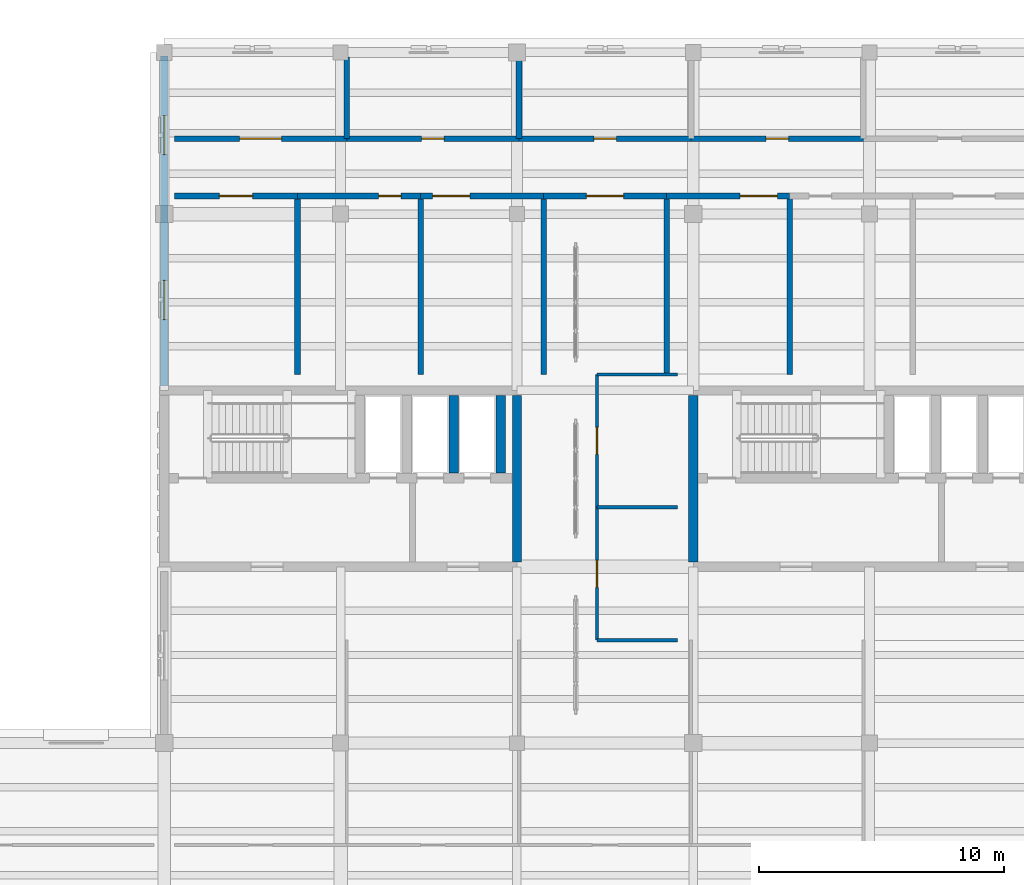
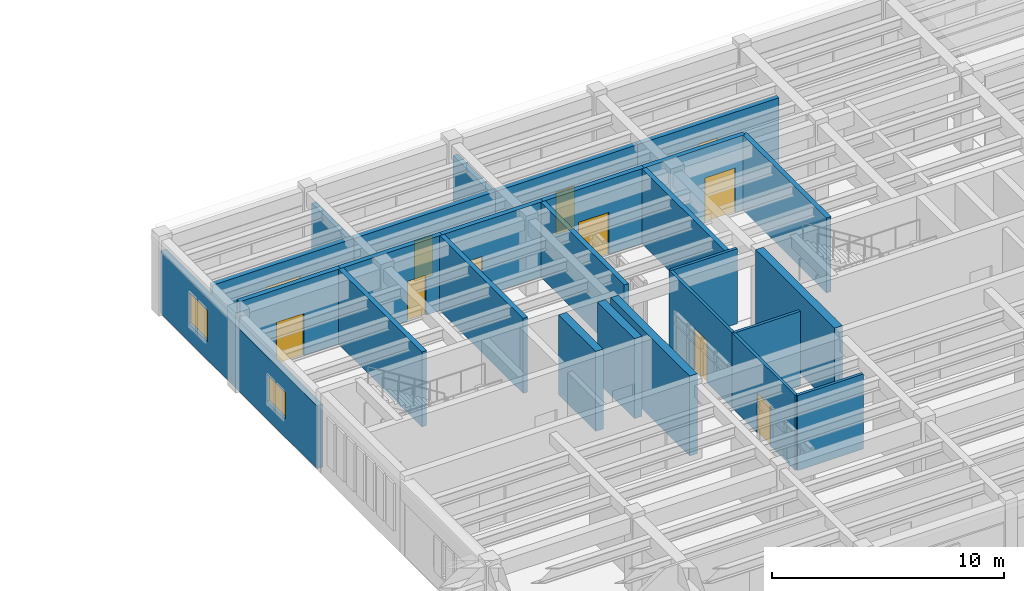
# One storey, part 25 of 40: 26 walls, 11 doors, 2 windows, 13 openings.
"""IFC4 building model written with IfcOpenShell, lengths in metres."""

from ifc_helpers import new_model, si_unit, direction, frame, frame_2d, origin, place, context, subcontext, project, spatial, rectangle, extrude, material, layer, layer_set, type_object, element, fill, save


model = new_model("IFC4")

# Units and contexts
model_context = context("Model", 3, precision=1e-05, world=origin(), true_north=direction((0.0, 1.0)))
body_context = subcontext(model_context, "Body", "Model", "MODEL_VIEW")
ifc_project = project(units=[si_unit("LENGTHUNIT", "METRE"), si_unit("AREAUNIT", "SQUARE_METRE"), si_unit("VOLUMEUNIT", "CUBIC_METRE"), si_unit("PLANEANGLEUNIT", "RADIAN"), si_unit("MASSUNIT", "GRAM", prefix="KILO")], contexts=[model_context])

# Site, building, storey
site_placement = place(None, origin())
site = spatial("IfcSite", under=ifc_project, at=site_placement, CompositionType="ELEMENT")
building_placement = place(site_placement, origin())
building = spatial("IfcBuilding", under=site, at=building_placement, Name="Mithqara Police Headquarters", CompositionType="ELEMENT")
storey_placement = place(building_placement, frame((0.0, 0.0, 13.800048828125)))
storey = spatial("IfcBuildingStorey", under=building, at=storey_placement, Name="L03", CompositionType="ELEMENT", Elevation=13.800048828125)

# Wall, openings, windows
ifc_material_1 = material(Name="Ochre masonry cavity wall, 35 MPa", Category="masonry")
ifc_layer_1 = layer(ifc_material_1, 0.300048828125, Name="Ochre masonry cavity wall, 35 MPa")
ifc_layer_set_1 = layer_set([ifc_layer_1], Name="Ochre masonry cavity wall, 35 MPa")
wall_type_1 = type_object("IfcWallType", Name="EXT WALL OCHRE BRICK300", PredefinedType="SOLIDWALL", material=ifc_layer_set_1)
wall_1_placement = place(storey_placement, frame((108.60009765625, 113.85009765625, 0.0), z_axis=(0.0, 0.0, 1.0), x_axis=(0.0, -1.0, 0.0)))
wall_1 = element("IfcWall", 1, at=wall_1_placement, inside=storey, type_object=wall_type_1, Name="L03 Exterior Wall 14.1", PredefinedType="SOLIDWALL", context=body_context, shape_type="SweptSolid", body=[
    extrude(rectangle(XDim=13.460205078125, YDim=0.300048828125, at=frame_2d((6.72998046875, 0.0))), origin(), (0.0, 0.0, 1.0), 3.2900390625),
])
opening_1_placement = place(wall_1_placement, frame((9.155029296875, 0.0, 0.949951171875)))
opening_1 = element("IfcOpeningElement", 2, at=opening_1_placement, cuts=wall_1, Name="Opening W-26", PredefinedType="OPENING", context=body_context, shape_type="SweptSolid", body=[
    extrude(rectangle(XDim=1.60009765625, YDim=1.39990234375, at=frame_2d((0.800048828125, 0.699951171875))), frame((0.0, 0.16015625, 0.0), z_axis=(0.0, -1.0, 0.0), x_axis=(1.0, 0.0, 0.0)), (0.0, 0.0, 1.0), 0.320068359375),
])
opening_2_placement = place(wall_1_placement, frame((2.425048828125, 0.0, 0.949951171875)))
opening_2 = element("IfcOpeningElement", 3, at=opening_2_placement, cuts=wall_1, Name="Opening W-27", PredefinedType="OPENING", context=body_context, shape_type="SweptSolid", body=[
    extrude(rectangle(XDim=1.60009765625, YDim=1.64990234375, at=frame_2d((0.800048828125, 0.824951171875))), frame((0.0, 0.16015625, 0.0), z_axis=(0.0, -1.0, 0.0), x_axis=(1.0, 0.0, 0.0)), (0.0, 0.0, 1.0), 0.320068359375),
])
ifc_material_2 = material(Name="Spectrally selective double low-e glass", Category="glass")
window_type_1 = type_object("IfcWindowType", Name="WINDOW 1600X1400", PartitioningType="SINGLE_PANEL", PredefinedType="WINDOW", material=ifc_material_2)
window_1_placement = place(opening_1_placement, origin())
window_1 = element("IfcWindow", 4, at=window_1_placement, inside=storey, type_object=window_type_1, Name="L03 Command Block Screened Window 14.1", OverallHeight=1.39990234375, OverallWidth=1.60009765625, PartitioningType="SINGLE_PANEL", PredefinedType="WINDOW", context=body_context, shape_type="SweptSolid", body=[
    extrude(rectangle(XDim=1.60009765625, YDim=1.39990234375, at=frame_2d((0.800048828125, 0.699951171875))), frame((0.0, 0.030029296875, 0.0), z_axis=(0.0, -1.0, 0.0), x_axis=(1.0, 0.0, 0.0)), (0.0, 0.0, 1.0), 0.06005859375),
])
fill(opening_1, window_1)
window_type_2 = type_object("IfcWindowType", Name="WINDOW 1600X1650", PartitioningType="SINGLE_PANEL", PredefinedType="WINDOW", material=ifc_material_2)
window_2_placement = place(opening_2_placement, origin())
window_2 = element("IfcWindow", 5, at=window_2_placement, inside=storey, type_object=window_type_2, Name="L03 Command Block Screened Window 14.2", OverallHeight=1.64990234375, OverallWidth=1.60009765625, PartitioningType="SINGLE_PANEL", PredefinedType="WINDOW", context=body_context, shape_type="SweptSolid", body=[
    extrude(rectangle(XDim=1.60009765625, YDim=1.64990234375, at=frame_2d((0.800048828125, 0.824951171875))), frame((0.0, 0.030029296875, 0.0), z_axis=(0.0, -1.0, 0.0), x_axis=(1.0, 0.0, 0.0)), (0.0, 0.0, 1.0), 0.06005859375),
])
fill(opening_2, window_2)

# Walls
ifc_material_3 = material(Name="Gypsum acoustic stud partition", Category="gypsum")
ifc_layer_2 = layer(ifc_material_3, 0.139892578125, Name="Gypsum acoustic stud partition")
ifc_layer_set_2 = layer_set([ifc_layer_2], Name="Gypsum acoustic stud partition")
wall_type_2 = type_object("IfcWallType", Name="PART WALL 140", PredefinedType="PARTITIONING", material=ifc_layer_set_2)
for number, where, z_axis, x_axis, name in (
    (6, (126.27001953125, 90.0, 0.0), (0.0, 0.0, 1.0), (1.0, 0.0, 0.0), "L03 Partition End Closure E0"),
    (7, (126.27001953125, 100.85009765625, 0.0), (0.0, 0.0, 1.0), (1.0, 0.0, 0.0), "L03 Partition End Closure E1"),
):
    element("IfcWall", number, at=place(storey_placement, frame(where, z_axis=z_axis, x_axis=x_axis)), inside=storey, type_object=wall_type_2, Name=name, PredefinedType="PARTITIONING", context=body_context, shape_type="SweptSolid", body=[
        extrude(rectangle(XDim=3.280029296875, YDim=0.139892578125, at=frame_2d((1.64013671875, 0.0))), origin(), (0.0, 0.0, 1.0), 3.93994140625),
    ])

# Wall, opening, door
wall_2_placement = place(storey_placement, frame((126.27001953125, 90.0, 0.0), z_axis=(0.0, 0.0, 1.0), x_axis=(0.0, 1.0, 0.0)))
wall_2 = element("IfcWall", 8, at=wall_2_placement, inside=storey, type_object=wall_type_2, Name="L03 Corridor Wall Warrants and Records Office", PredefinedType="PARTITIONING", context=body_context, shape_type="SweptSolid", body=[
    extrude(rectangle(XDim=5.425048828125, YDim=0.139892578125, at=frame_2d((2.71240234375, 0.0))), origin(), (0.0, 0.0, 1.0), 3.93994140625),
])
opening_3_placement = place(wall_2_placement, frame((2.16259765625, 0.0, 0.0)))
opening_3 = element("IfcOpeningElement", 9, at=opening_3_placement, cuts=wall_2, Name="Opening D-10", PredefinedType="OPENING", context=body_context, shape_type="SweptSolid", body=[
    extrude(rectangle(XDim=1.10009765625, YDim=2.10009765625, at=frame_2d((0.550048828125, 1.050048828125))), frame((0.0, 0.080078125, 0.0), z_axis=(0.0, -1.0, 0.0), x_axis=(1.0, 0.0, 0.0)), (0.0, 0.0, 1.0), 0.159912109375),
])
ifc_material_4 = material(Name="Acoustic solid-core timber leaf", Category="wood")
door_type_1 = type_object("IfcDoorType", Name="INT DOOR 1100X2100", OperationType="NOTDEFINED", PredefinedType="DOOR", material=ifc_material_4)
door_1_placement = place(opening_3_placement, origin())
door_1 = element("IfcDoor", 10, at=door_1_placement, inside=storey, type_object=door_type_1, Name="Warrants and Records Office Entry Door", OperationType="SINGLE_SWING_LEFT", OverallHeight=2.10009765625, OverallWidth=1.10009765625, PredefinedType="DOOR", context=body_context, shape_type="SweptSolid", body=[
    extrude(rectangle(XDim=1.10009765625, YDim=2.10009765625, at=frame_2d((0.550048828125, 1.050048828125))), frame((0.0, 0.02490234375, 0.0), z_axis=(0.0, -1.0, 0.0), x_axis=(1.0, 0.0, 0.0)), (0.0, 0.0, 1.0), 0.050048828125),
])
fill(opening_3, door_1)

# Wall
wall_3_placement = place(storey_placement, frame((126.27001953125, 95.425048828125, 0.0), z_axis=(0.0, 0.0, 1.0), x_axis=(1.0, 0.0, 0.0)))
element("IfcWall", 11, at=wall_3_placement, inside=storey, type_object=wall_type_2, Name="L03 Room Partition Warrants and Records Office", PredefinedType="PARTITIONING", context=body_context, shape_type="SweptSolid", body=[
    extrude(rectangle(XDim=3.280029296875, YDim=0.139892578125, at=frame_2d((1.64013671875, 0.0))), origin(), (0.0, 0.0, 1.0), 3.93994140625),
])

# Wall, opening, door
wall_4_placement = place(storey_placement, frame((126.27001953125, 95.425048828125, 0.0), z_axis=(0.0, 0.0, 1.0), x_axis=(0.0, 1.0, 0.0)))
wall_4 = element("IfcWall", 12, at=wall_4_placement, inside=storey, type_object=wall_type_2, Name="L03 Corridor Wall Judicial Liaison Suite", PredefinedType="PARTITIONING", context=body_context, shape_type="SweptSolid", body=[
    extrude(rectangle(XDim=5.425048828125, YDim=0.139892578125, at=frame_2d((2.71240234375, 0.0))), origin(), (0.0, 0.0, 1.0), 3.93994140625),
])
opening_4_placement = place(wall_4_placement, frame((2.16259765625, 0.0, 0.0)))
opening_4 = element("IfcOpeningElement", 13, at=opening_4_placement, cuts=wall_4, Name="Opening D-11", PredefinedType="OPENING", context=body_context, shape_type="SweptSolid", body=[
    extrude(rectangle(XDim=1.10009765625, YDim=2.219970703125, at=frame_2d((0.550048828125, 1.10986328125))), frame((0.0, 0.080078125, 0.0), z_axis=(0.0, -1.0, 0.0), x_axis=(1.0, 0.0, 0.0)), (0.0, 0.0, 1.0), 0.159912109375),
])
door_type_2 = type_object("IfcDoorType", Name="INT DOOR 1100X2220", OperationType="NOTDEFINED", PredefinedType="DOOR", material=ifc_material_4)
door_2_placement = place(opening_4_placement, origin())
door_2 = element("IfcDoor", 14, at=door_2_placement, inside=storey, type_object=door_type_2, Name="Judicial Liaison Suite Entry Door", OperationType="SINGLE_SWING_RIGHT", OverallHeight=2.219970703125, OverallWidth=1.10009765625, PredefinedType="DOOR", context=body_context, shape_type="SweptSolid", body=[
    extrude(rectangle(XDim=1.10009765625, YDim=2.219970703125, at=frame_2d((0.550048828125, 1.10986328125))), frame((0.0, 0.02490234375, 0.0), z_axis=(0.0, -1.0, 0.0), x_axis=(1.0, 0.0, 0.0)), (0.0, 0.0, 1.0), 0.050048828125),
])
fill(opening_4, door_2)

ifc_material_5 = material(Name="Concrete C40/50", Category="concrete")
ifc_layer_3 = layer(ifc_material_5, 0.22998046875, Name="Concrete C40/50")
ifc_layer_set_3 = layer_set([ifc_layer_3], Name="Concrete C40/50")
wall_type_3 = type_object("IfcWallType", Name="PART WALL 230", PredefinedType="PARTITIONING", material=ifc_layer_set_3)
wall_5_placement = place(storey_placement, frame((109.02001953125, 108.139892578125, 0.0), z_axis=(0.0, 0.0, 1.0), x_axis=(1.0, 0.0, 0.0)))
wall_5 = element("IfcWall", 15, at=wall_5_placement, inside=storey, type_object=wall_type_3, Name="L03 Corridor Wall Warrants and Records Office", PredefinedType="PARTITIONING", context=body_context, shape_type="SweptSolid", body=[
    extrude(rectangle(XDim=5.02294921875, YDim=0.22998046875, at=frame_2d((2.511474609375, 0.0))), origin(), (0.0, 0.0, 1.0), 3.93994140625),
])
opening_5_placement = place(wall_5_placement, frame((1.83154296875, 0.0, 0.0)))
opening_5 = element("IfcOpeningElement", 16, at=opening_5_placement, cuts=wall_5, Name="Opening D-17", PredefinedType="OPENING", context=body_context, shape_type="SweptSolid", body=[
    extrude(rectangle(XDim=1.360107421875, YDim=2.219970703125, at=frame_2d((0.68017578125, 1.10986328125))), frame((0.0, 0.125, 0.0), z_axis=(0.0, -1.0, 0.0), x_axis=(1.0, 0.0, 0.0)), (0.0, 0.0, 1.0), 0.25),
])
ifc_material_6 = material(Name="Bronze anodised aluminium 6063-T6", Category="aluminium")
door_type_3 = type_object("IfcDoorType", Name="INT DOOR 1360X2220", OperationType="NOTDEFINED", PredefinedType="DOOR", material=ifc_material_6)
door_3_placement = place(opening_5_placement, frame((1.360107421875, 0.0, 0.0), z_axis=(0.0, 0.0, 1.0), x_axis=(-1.0, 0.0, 0.0)))
door_3 = element("IfcDoor", 17, at=door_3_placement, inside=storey, type_object=door_type_3, Name="Warrants and Records Office Entry Door", OperationType="SINGLE_SWING_RIGHT", OverallHeight=2.219970703125, OverallWidth=1.360107421875, PredefinedType="DOOR", context=body_context, shape_type="SweptSolid", body=[
    extrude(rectangle(XDim=1.360107421875, YDim=2.219970703125, at=frame_2d((0.68017578125, 1.10986328125))), frame((0.0, 0.02490234375, 0.0), z_axis=(0.0, -1.0, 0.0), x_axis=(1.0, 0.0, 0.0)), (0.0, 0.0, 1.0), 0.050048828125),
])
fill(opening_5, door_3)

# Wall
wall_6_placement = place(storey_placement, frame((114.04296875, 100.85009765625, 0.0), z_axis=(0.0, 0.0, 1.0), x_axis=(0.0, 1.0, 0.0)))
element("IfcWall", 18, at=wall_6_placement, inside=storey, type_object=wall_type_3, Name="L03 Room Partition Warrants and Records Office", PredefinedType="PARTITIONING", context=body_context, shape_type="SweptSolid", body=[
    extrude(rectangle(XDim=7.289794921875, YDim=0.22998046875, at=frame_2d((3.64501953125, 0.0))), origin(), (0.0, 0.0, 1.0), 3.93994140625),
])

# Wall, opening, door
wall_7_placement = place(storey_placement, frame((114.04296875, 108.139892578125, 0.0), z_axis=(0.0, 0.0, 1.0), x_axis=(1.0, 0.0, 0.0)))
wall_7 = element("IfcWall", 19, at=wall_7_placement, inside=storey, type_object=wall_type_3, Name="L03 Corridor Wall Judicial Liaison Suite", PredefinedType="PARTITIONING", context=body_context, shape_type="SweptSolid", body=[
    extrude(rectangle(XDim=5.02294921875, YDim=0.22998046875, at=frame_2d((2.511474609375, 0.0))), origin(), (0.0, 0.0, 1.0), 3.93994140625),
])
opening_6_placement = place(wall_7_placement, frame((3.30712890625, 0.0, 0.0)))
opening_6 = element("IfcOpeningElement", 20, at=opening_6_placement, cuts=wall_7, Name="Opening D-01", PredefinedType="OPENING", context=body_context, shape_type="SweptSolid", body=[
    extrude(rectangle(XDim=0.919921875, YDim=2.10009765625, at=frame_2d((0.4599609375, 1.050048828125))), frame((0.0, 0.125, 0.0), z_axis=(0.0, -1.0, 0.0), x_axis=(1.0, 0.0, 0.0)), (0.0, 0.0, 1.0), 0.25),
])
door_type_4 = type_object("IfcDoorType", Name="INT DOOR 920X2100", OperationType="NOTDEFINED", PredefinedType="DOOR", material=ifc_material_4)
door_4_placement = place(opening_6_placement, frame((0.919921875, 0.0, 0.0), z_axis=(0.0, 0.0, 1.0), x_axis=(-1.0, 0.0, 0.0)))
door_4 = element("IfcDoor", 21, at=door_4_placement, inside=storey, type_object=door_type_4, Name="Judicial Liaison Suite Entry Door", OperationType="SINGLE_SWING_LEFT", OverallHeight=2.10009765625, OverallWidth=0.919921875, PredefinedType="DOOR", context=body_context, shape_type="SweptSolid", body=[
    extrude(rectangle(XDim=0.919921875, YDim=2.10009765625, at=frame_2d((0.4599609375, 1.050048828125))), frame((0.0, 0.02490234375, 0.0), z_axis=(0.0, -1.0, 0.0), x_axis=(1.0, 0.0, 0.0)), (0.0, 0.0, 1.0), 0.050048828125),
])
fill(opening_6, door_4)

# Wall
wall_8_placement = place(storey_placement, frame((119.06591796875, 100.85009765625, 0.0), z_axis=(0.0, 0.0, 1.0), x_axis=(0.0, 1.0, 0.0)))
element("IfcWall", 22, at=wall_8_placement, inside=storey, type_object=wall_type_3, Name="L03 Room Partition Judicial Liaison Suite", PredefinedType="PARTITIONING", context=body_context, shape_type="SweptSolid", body=[
    extrude(rectangle(XDim=7.289794921875, YDim=0.22998046875, at=frame_2d((3.64501953125, 0.0))), origin(), (0.0, 0.0, 1.0), 3.93994140625),
])

# Wall, opening, door
wall_9_placement = place(storey_placement, frame((119.06591796875, 108.139892578125, 0.0), z_axis=(0.0, 0.0, 1.0), x_axis=(1.0, 0.0, 0.0)))
wall_9 = element("IfcWall", 23, at=wall_9_placement, inside=storey, type_object=wall_type_3, Name="L03 Corridor Wall Briefing Room", PredefinedType="PARTITIONING", context=body_context, shape_type="SweptSolid", body=[
    extrude(rectangle(XDim=5.023193359375, YDim=0.22998046875, at=frame_2d((2.51171875, 0.0))), origin(), (0.0, 0.0, 1.0), 3.93994140625),
])
opening_7_placement = place(wall_9_placement, frame((0.49560546875, 0.0, 0.0)))
opening_7 = element("IfcOpeningElement", 24, at=opening_7_placement, cuts=wall_9, Name="Opening D-19", PredefinedType="OPENING", context=body_context, shape_type="SweptSolid", body=[
    extrude(rectangle(XDim=1.52001953125, YDim=2.10009765625, at=frame_2d((0.760009765625, 1.050048828125))), frame((0.0, 0.125, 0.0), z_axis=(0.0, -1.0, 0.0), x_axis=(1.0, 0.0, 0.0)), (0.0, 0.0, 1.0), 0.25),
])
door_type_5 = type_object("IfcDoorType", Name="INT DOOR 1520X2100", OperationType="NOTDEFINED", PredefinedType="DOOR", material=ifc_material_6)
door_5_placement = place(opening_7_placement, frame((1.52001953125, 0.0, 0.0), z_axis=(0.0, 0.0, 1.0), x_axis=(-1.0, 0.0, 0.0)))
door_5 = element("IfcDoor", 25, at=door_5_placement, inside=storey, type_object=door_type_5, Name="Briefing Room Entry Door", OperationType="DOUBLE_DOOR_SINGLE_SWING", OverallHeight=2.10009765625, OverallWidth=1.52001953125, PredefinedType="DOOR", context=body_context, shape_type="SweptSolid", body=[
    extrude(rectangle(XDim=1.52001953125, YDim=2.10009765625, at=frame_2d((0.760009765625, 1.050048828125))), frame((0.0, 0.02490234375, 0.0), z_axis=(0.0, -1.0, 0.0), x_axis=(1.0, 0.0, 0.0)), (0.0, 0.0, 1.0), 0.050048828125),
])
fill(opening_7, door_5)

# Wall
wall_10_placement = place(storey_placement, frame((124.089111328125, 100.85009765625, 0.0), z_axis=(0.0, 0.0, 1.0), x_axis=(0.0, 1.0, 0.0)))
element("IfcWall", 26, at=wall_10_placement, inside=storey, type_object=wall_type_3, Name="L03 Room Partition Briefing Room", PredefinedType="PARTITIONING", context=body_context, shape_type="SweptSolid", body=[
    extrude(rectangle(XDim=7.289794921875, YDim=0.22998046875, at=frame_2d((3.64501953125, 0.0))), origin(), (0.0, 0.0, 1.0), 3.93994140625),
])

# Wall, opening, door
wall_11_placement = place(storey_placement, frame((124.089111328125, 108.139892578125, 0.0), z_axis=(0.0, 0.0, 1.0), x_axis=(1.0, 0.0, 0.0)))
wall_11 = element("IfcWall", 27, at=wall_11_placement, inside=storey, type_object=wall_type_3, Name="L03 Corridor Wall Criminal Records Verification Room", PredefinedType="PARTITIONING", context=body_context, shape_type="SweptSolid", body=[
    extrude(rectangle(XDim=5.02197265625, YDim=0.22998046875, at=frame_2d((2.510986328125, 0.0))), origin(), (0.0, 0.0, 1.0), 3.93994140625),
])
opening_8_placement = place(wall_11_placement, frame((1.7509765625, 0.0, 0.0)))
opening_8 = element("IfcOpeningElement", 28, at=opening_8_placement, cuts=wall_11, Name="Opening D-20", PredefinedType="OPENING", context=body_context, shape_type="SweptSolid", body=[
    extrude(rectangle(XDim=1.52001953125, YDim=2.219970703125, at=frame_2d((0.760009765625, 1.10986328125))), frame((0.0, 0.125, 0.0), z_axis=(0.0, -1.0, 0.0), x_axis=(1.0, 0.0, 0.0)), (0.0, 0.0, 1.0), 0.25),
])
door_type_6 = type_object("IfcDoorType", Name="INT DOOR 1520X2220", OperationType="NOTDEFINED", PredefinedType="DOOR", material=ifc_material_6)
door_6_placement = place(opening_8_placement, frame((1.52001953125, 0.0, 0.0), z_axis=(0.0, 0.0, 1.0), x_axis=(-1.0, 0.0, 0.0)))
door_6 = element("IfcDoor", 29, at=door_6_placement, inside=storey, type_object=door_type_6, Name="Criminal Records Verification Room Entry Door", OperationType="DOUBLE_DOOR_SINGLE_SWING", OverallHeight=2.219970703125, OverallWidth=1.52001953125, PredefinedType="DOOR", context=body_context, shape_type="SweptSolid", body=[
    extrude(rectangle(XDim=1.52001953125, YDim=2.219970703125, at=frame_2d((0.760009765625, 1.10986328125))), frame((0.0, 0.02490234375, 0.0), z_axis=(0.0, -1.0, 0.0), x_axis=(1.0, 0.0, 0.0)), (0.0, 0.0, 1.0), 0.050048828125),
])
fill(opening_8, door_6)

# Wall
wall_12_placement = place(storey_placement, frame((129.111083984375, 100.85009765625, 0.0), z_axis=(0.0, 0.0, 1.0), x_axis=(0.0, 1.0, 0.0)))
element("IfcWall", 30, at=wall_12_placement, inside=storey, type_object=wall_type_3, Name="L03 Room Partition Criminal Records Verification Room", PredefinedType="PARTITIONING", context=body_context, shape_type="SweptSolid", body=[
    extrude(rectangle(XDim=7.289794921875, YDim=0.22998046875, at=frame_2d((3.64501953125, 0.0))), origin(), (0.0, 0.0, 1.0), 3.93994140625),
])

# Wall, opening, door
wall_13_placement = place(storey_placement, frame((129.111083984375, 108.139892578125, 0.0), z_axis=(0.0, 0.0, 1.0), x_axis=(1.0, 0.0, 0.0)))
wall_13 = element("IfcWall", 31, at=wall_13_placement, inside=storey, type_object=wall_type_3, Name="L03 Corridor Wall Warrants and Records Office", PredefinedType="PARTITIONING", context=body_context, shape_type="SweptSolid", body=[
    extrude(rectangle(XDim=5.02294921875, YDim=0.22998046875, at=frame_2d((2.511474609375, 0.0))), origin(), (0.0, 0.0, 1.0), 3.93994140625),
])
opening_9_placement = place(wall_13_placement, frame((3.007080078125, 0.0, 0.0)))
opening_9 = element("IfcOpeningElement", 32, at=opening_9_placement, cuts=wall_13, Name="Opening D-21", PredefinedType="OPENING", context=body_context, shape_type="SweptSolid", body=[
    extrude(rectangle(XDim=1.52001953125, YDim=2.35009765625, at=frame_2d((0.760009765625, 1.175048828125))), frame((0.0, 0.125, 0.0), z_axis=(0.0, -1.0, 0.0), x_axis=(1.0, 0.0, 0.0)), (0.0, 0.0, 1.0), 0.25),
])
door_type_7 = type_object("IfcDoorType", Name="INT DOOR 1520X2350", OperationType="NOTDEFINED", PredefinedType="DOOR", material=ifc_material_6)
door_7_placement = place(opening_9_placement, frame((1.52001953125, 0.0, 0.0), z_axis=(0.0, 0.0, 1.0), x_axis=(-1.0, 0.0, 0.0)))
door_7 = element("IfcDoor", 33, at=door_7_placement, inside=storey, type_object=door_type_7, Name="Warrants and Records Office Entry Door", OperationType="DOUBLE_DOOR_SINGLE_SWING", OverallHeight=2.35009765625, OverallWidth=1.52001953125, PredefinedType="DOOR", context=body_context, shape_type="SweptSolid", body=[
    extrude(rectangle(XDim=1.52001953125, YDim=2.35009765625, at=frame_2d((0.760009765625, 1.175048828125))), frame((0.0, 0.02490234375, 0.0), z_axis=(0.0, -1.0, 0.0), x_axis=(1.0, 0.0, 0.0)), (0.0, 0.0, 1.0), 0.050048828125),
])
fill(opening_9, door_7)

# Wall
wall_14_placement = place(storey_placement, frame((134.134033203125, 100.85009765625, 0.0), z_axis=(0.0, 0.0, 1.0), x_axis=(0.0, 1.0, 0.0)))
element("IfcWall", 34, at=wall_14_placement, inside=storey, type_object=wall_type_3, Name="L03 Room Partition Warrants and Records Office", PredefinedType="PARTITIONING", context=body_context, shape_type="SweptSolid", body=[
    extrude(rectangle(XDim=7.289794921875, YDim=0.22998046875, at=frame_2d((3.64501953125, 0.0))), origin(), (0.0, 0.0, 1.0), 3.93994140625),
])

# Wall, opening, door
wall_15_placement = place(storey_placement, frame((109.02001953125, 110.47998046875, 0.0), z_axis=(0.0, 0.0, 1.0), x_axis=(1.0, 0.0, 0.0)))
wall_15 = element("IfcWall", 35, at=wall_15_placement, inside=storey, type_object=wall_type_3, Name="L03 Corridor Wall Criminal Records Verification Room", PredefinedType="PARTITIONING", context=body_context, shape_type="SweptSolid", body=[
    extrude(rectangle(XDim=7.031982421875, YDim=0.22998046875, at=frame_2d((3.51611328125, 0.0))), origin(), (0.0, 0.0, 1.0), 3.389892578125),
])
opening_10_placement = place(wall_15_placement, frame((2.656005859375, 0.0, 0.0)))
opening_10 = element("IfcOpeningElement", 36, at=opening_10_placement, cuts=wall_15, Name="Opening D-24", PredefinedType="OPENING", context=body_context, shape_type="SweptSolid", body=[
    extrude(rectangle(XDim=1.719970703125, YDim=2.35009765625, at=frame_2d((0.85986328125, 1.175048828125))), frame((0.0, 0.125, 0.0), z_axis=(0.0, -1.0, 0.0), x_axis=(1.0, 0.0, 0.0)), (0.0, 0.0, 1.0), 0.25),
])
door_type_8 = type_object("IfcDoorType", Name="INT DOOR 1720X2350", OperationType="NOTDEFINED", PredefinedType="DOOR", material=ifc_material_6)
door_8_placement = place(opening_10_placement, origin())
door_8 = element("IfcDoor", 37, at=door_8_placement, inside=storey, type_object=door_type_8, Name="Criminal Records Verification Room Entry Door", OperationType="DOUBLE_DOOR_SINGLE_SWING", OverallHeight=2.35009765625, OverallWidth=1.719970703125, PredefinedType="DOOR", context=body_context, shape_type="SweptSolid", body=[
    extrude(rectangle(XDim=1.719970703125, YDim=2.35009765625, at=frame_2d((0.85986328125, 1.175048828125))), frame((0.0, 0.02490234375, 0.0), z_axis=(0.0, -1.0, 0.0), x_axis=(1.0, 0.0, 0.0)), (0.0, 0.0, 1.0), 0.050048828125),
])
fill(opening_10, door_8)

# Wall
wall_16_placement = place(storey_placement, frame((116.052001953125, 110.47998046875, 0.0), z_axis=(0.0, 0.0, 1.0), x_axis=(0.0, 1.0, 0.0)))
element("IfcWall", 38, at=wall_16_placement, inside=storey, type_object=wall_type_3, Name="L03 Room Partition Criminal Records Verification Room", PredefinedType="PARTITIONING", context=body_context, shape_type="SweptSolid", body=[
    extrude(rectangle(XDim=3.340087890625, YDim=0.22998046875, at=frame_2d((1.669921875, 0.0))), origin(), (0.0, 0.0, 1.0), 3.18994140625),
])

# Wall, opening, door
wall_17_placement = place(storey_placement, frame((116.052001953125, 110.47998046875, 0.0), z_axis=(0.0, 0.0, 1.0), x_axis=(1.0, 0.0, 0.0)))
wall_17 = element("IfcWall", 39, at=wall_17_placement, inside=storey, type_object=wall_type_3, Name="L03 Corridor Wall Warrants and Records Office", PredefinedType="PARTITIONING", context=body_context, shape_type="SweptSolid", body=[
    extrude(rectangle(XDim=7.031982421875, YDim=0.22998046875, at=frame_2d((3.51611328125, 0.0))), origin(), (0.0, 0.0, 1.0), 3.389892578125),
])
opening_11_placement = place(wall_17_placement, frame((3.055908203125, 0.0, 0.0)))
opening_11 = element("IfcOpeningElement", 40, at=opening_11_placement, cuts=wall_17, Name="Opening D-01", PredefinedType="OPENING", context=body_context, shape_type="SweptSolid", body=[
    extrude(rectangle(XDim=0.919921875, YDim=2.10009765625, at=frame_2d((0.4599609375, 1.050048828125))), frame((0.0, 0.125, 0.0), z_axis=(0.0, -1.0, 0.0), x_axis=(1.0, 0.0, 0.0)), (0.0, 0.0, 1.0), 0.25),
])
door_9_placement = place(opening_11_placement, origin())
door_9 = element("IfcDoor", 41, at=door_9_placement, inside=storey, type_object=door_type_4, Name="Warrants and Records Office Entry Door", OperationType="SINGLE_SWING_RIGHT", OverallHeight=2.10009765625, OverallWidth=0.919921875, PredefinedType="DOOR", context=body_context, shape_type="SweptSolid", body=[
    extrude(rectangle(XDim=0.919921875, YDim=2.10009765625, at=frame_2d((0.4599609375, 1.050048828125))), frame((0.0, 0.02490234375, 0.0), z_axis=(0.0, -1.0, 0.0), x_axis=(1.0, 0.0, 0.0)), (0.0, 0.0, 1.0), 0.050048828125),
])
fill(opening_11, door_9)

# Wall
wall_18_placement = place(storey_placement, frame((123.083984375, 110.47998046875, 0.0), z_axis=(0.0, 0.0, 1.0), x_axis=(0.0, 1.0, 0.0)))
element("IfcWall", 42, at=wall_18_placement, inside=storey, type_object=wall_type_3, Name="L03 Room Partition Warrants and Records Office", PredefinedType="PARTITIONING", context=body_context, shape_type="SweptSolid", body=[
    extrude(rectangle(XDim=3.340087890625, YDim=0.22998046875, at=frame_2d((1.669921875, 0.0))), origin(), (0.0, 0.0, 1.0), 3.239990234375),
])

# Wall, opening, door
wall_19_placement = place(storey_placement, frame((123.083984375, 110.47998046875, 0.0), z_axis=(0.0, 0.0, 1.0), x_axis=(1.0, 0.0, 0.0)))
wall_19 = element("IfcWall", 43, at=wall_19_placement, inside=storey, type_object=wall_type_3, Name="L03 Corridor Wall Judicial Liaison Suite", PredefinedType="PARTITIONING", context=body_context, shape_type="SweptSolid", body=[
    extrude(rectangle(XDim=7.031982421875, YDim=0.22998046875, at=frame_2d((3.51611328125, 0.0))), origin(), (0.0, 0.0, 1.0), 3.389892578125),
])
opening_12_placement = place(wall_19_placement, frame((3.055908203125, 0.0, 0.0)))
opening_12 = element("IfcOpeningElement", 44, at=opening_12_placement, cuts=wall_19, Name="Opening D-02", PredefinedType="OPENING", context=body_context, shape_type="SweptSolid", body=[
    extrude(rectangle(XDim=0.919921875, YDim=2.219970703125, at=frame_2d((0.4599609375, 1.10986328125))), frame((0.0, 0.125, 0.0), z_axis=(0.0, -1.0, 0.0), x_axis=(1.0, 0.0, 0.0)), (0.0, 0.0, 1.0), 0.25),
])
door_type_9 = type_object("IfcDoorType", Name="INT DOOR 920X2220", OperationType="NOTDEFINED", PredefinedType="DOOR", material=ifc_material_4)
door_10_placement = place(opening_12_placement, origin())
door_10 = element("IfcDoor", 45, at=door_10_placement, inside=storey, type_object=door_type_9, Name="Judicial Liaison Suite Entry Door", OperationType="SINGLE_SWING_LEFT", OverallHeight=2.219970703125, OverallWidth=0.919921875, PredefinedType="DOOR", context=body_context, shape_type="SweptSolid", body=[
    extrude(rectangle(XDim=0.919921875, YDim=2.219970703125, at=frame_2d((0.4599609375, 1.10986328125))), frame((0.0, 0.02490234375, 0.0), z_axis=(0.0, -1.0, 0.0), x_axis=(1.0, 0.0, 0.0)), (0.0, 0.0, 1.0), 0.050048828125),
])
fill(opening_12, door_10)

wall_20_placement = place(storey_placement, frame((130.115966796875, 110.47998046875, 0.0), z_axis=(0.0, 0.0, 1.0), x_axis=(1.0, 0.0, 0.0)))
wall_20 = element("IfcWall", 46, at=wall_20_placement, inside=storey, type_object=wall_type_3, Name="L03 Corridor Wall Briefing Room", PredefinedType="PARTITIONING", context=body_context, shape_type="SweptSolid", body=[
    extrude(rectangle(XDim=7.031982421875, YDim=0.22998046875, at=frame_2d((3.51611328125, 0.0))), origin(), (0.0, 0.0, 1.0), 3.389892578125),
])
opening_13_placement = place(wall_20_placement, frame((3.055908203125, 0.0, 0.0)))
opening_13 = element("IfcOpeningElement", 47, at=opening_13_placement, cuts=wall_20, Name="Opening D-03", PredefinedType="OPENING", context=body_context, shape_type="SweptSolid", body=[
    extrude(rectangle(XDim=0.919921875, YDim=2.35009765625, at=frame_2d((0.4599609375, 1.175048828125))), frame((0.0, 0.125, 0.0), z_axis=(0.0, -1.0, 0.0), x_axis=(1.0, 0.0, 0.0)), (0.0, 0.0, 1.0), 0.25),
])
door_type_10 = type_object("IfcDoorType", Name="INT DOOR 920X2350", OperationType="NOTDEFINED", PredefinedType="DOOR", material=ifc_material_4)
door_11_placement = place(opening_13_placement, origin())
door_11 = element("IfcDoor", 48, at=door_11_placement, inside=storey, type_object=door_type_10, Name="Briefing Room Entry Door", OperationType="SINGLE_SWING_RIGHT", OverallHeight=2.35009765625, OverallWidth=0.919921875, PredefinedType="DOOR", context=body_context, shape_type="SweptSolid", body=[
    extrude(rectangle(XDim=0.919921875, YDim=2.35009765625, at=frame_2d((0.4599609375, 1.175048828125))), frame((0.0, 0.02490234375, 0.0), z_axis=(0.0, -1.0, 0.0), x_axis=(1.0, 0.0, 0.0)), (0.0, 0.0, 1.0), 0.050048828125),
])
fill(opening_13, door_11)

# Walls
ifc_material_7 = material(Name="Concrete C50/60", Category="concrete")
ifc_layer_4 = layer(ifc_material_7, 0.3798828125, Name="Concrete C50/60")
ifc_layer_set_4 = layer_set([ifc_layer_4], Name="Concrete C50/60")
wall_type_4 = type_object("IfcWallType", Name="SHEAR WALL 380", PredefinedType="SHEAR", material=ifc_layer_set_4)
wall_21_placement = place(storey_placement, frame((123.0, 93.199951171875, 0.0), z_axis=(0.0, 0.0, 1.0), x_axis=(0.0, 1.0, 0.0)))
element("IfcWall", 49, at=wall_21_placement, inside=storey, type_object=wall_type_4, Name="Core C1 Command West Shear Wall E", PredefinedType="SHEAR", context=body_context, shape_type="SweptSolid", body=[
    extrude(rectangle(XDim=6.800048828125, YDim=0.3798828125, at=frame_2d((3.39990234375, 0.0))), origin(), (0.0, 0.0, 1.0), 4.199951171875),
])
for number, where, z_axis, x_axis, name in (
    (50, (120.419921875, 96.820068359375, 0.0), (0.0, 0.0, 1.0), (0.0, 1.0, 0.0), "Core C1 Command West Shear Wall L2"),
    (51, (122.340087890625, 96.820068359375, 0.0), (0.0, 0.0, 1.0), (0.0, 1.0, 0.0), "Core C1 Command West Shear Wall L3"),
):
    element("IfcWall", number, at=place(storey_placement, frame(where, z_axis=z_axis, x_axis=x_axis)), inside=storey, type_object=wall_type_4, Name=name, PredefinedType="SHEAR", context=body_context, shape_type="SweptSolid", body=[
        extrude(rectangle(XDim=3.179931640625, YDim=0.3798828125, at=frame_2d((1.58984375, 0.0))), origin(), (0.0, 0.0, 1.0), 4.199951171875),
    ])
wall_22_placement = place(storey_placement, frame((130.199951171875, 93.199951171875, 0.0), z_axis=(0.0, 0.0, 1.0), x_axis=(0.0, 1.0, 0.0)))
element("IfcWall", 52, at=wall_22_placement, inside=storey, type_object=wall_type_4, Name="Core C2 Command East Shear Wall W", PredefinedType="SHEAR", context=body_context, shape_type="SweptSolid", body=[
    extrude(rectangle(XDim=6.800048828125, YDim=0.3798828125, at=frame_2d((3.39990234375, 0.0))), origin(), (0.0, 0.0, 1.0), 4.199951171875),
])

save(model, "model.ifc")
